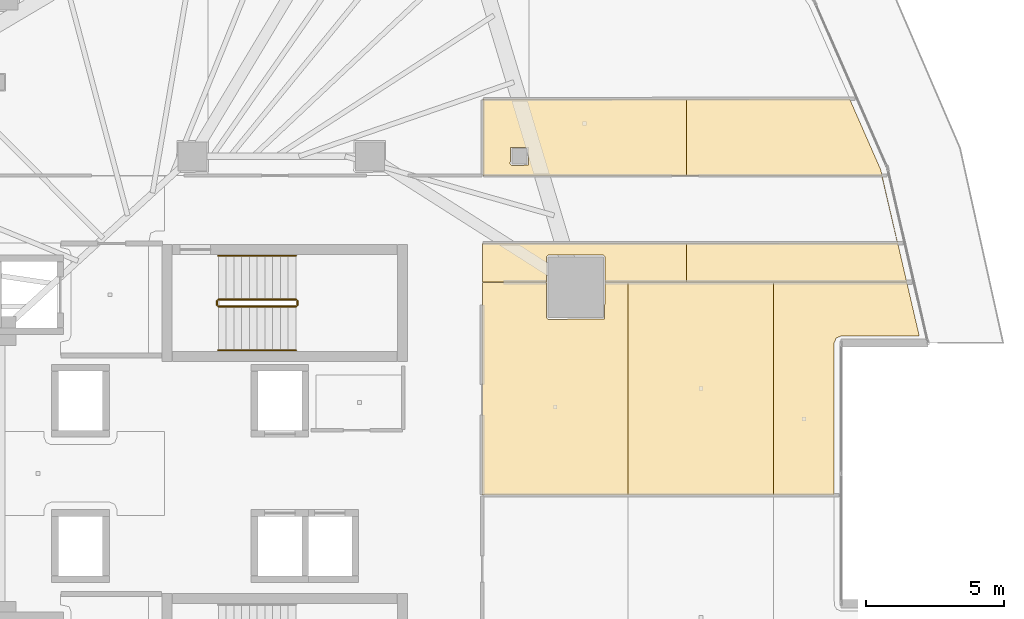
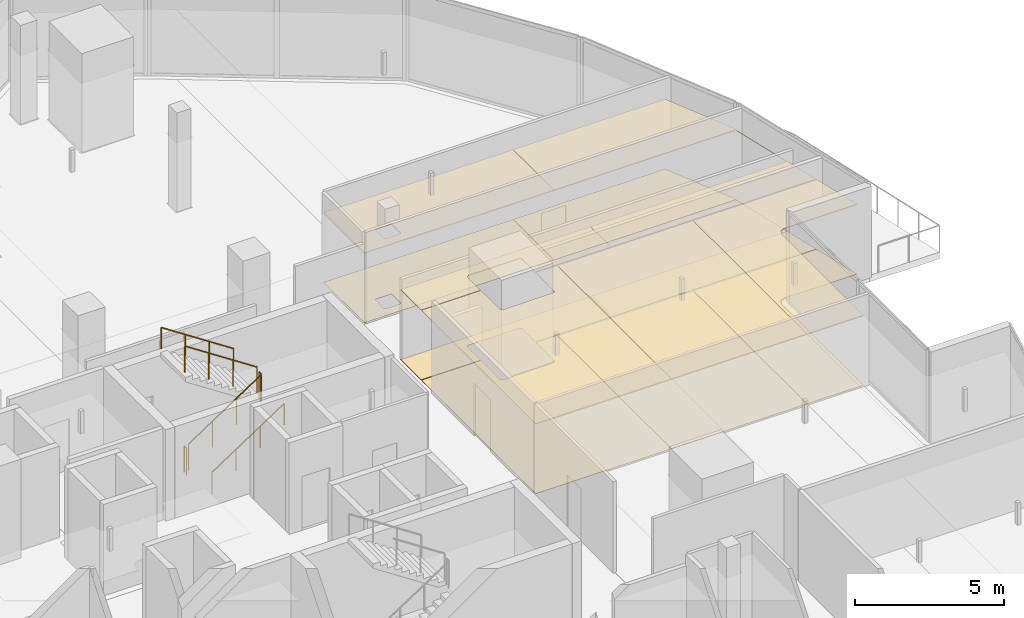
# One storey, part 35 of 36: 12 coverings, 6 railings.
"""IFC4 building model written with IfcOpenShell, lengths in metres."""

import ifcopenshell
import ifcopenshell.guid

model = None  # the IFC model being written
_history = None  # IfcOwnerHistory: only IFC2X3 demands one
_inside = {}  # id of a spatial element -> (the spatial element, [elements in it])
_under = {}  # id of a project, library or spatial element -> (it, [spatial elements below it])
_declared = {}  # id of a project -> (the project, [libraries it declares])
_typed = {}  # id of a type object -> (the type object, [elements of that type])
_made_of = {}  # id of a material, layer set ... -> (it, [elements and type objects made of it])


def new_model(schema):
    """Start an empty IFC model of exactly this schema.

    Asked for "IFC4X3", IfcOpenShell would pick the latest addendum, in which some entities
    have other attributes; the version numbers below select the first issue.
    IFC2X3 requires an IfcOwnerHistory on every rooted entity: one is made here for all.
    """
    global model, _history
    if schema == "IFC4X3":
        model = ifcopenshell.file(schema_version=(4, 3, 0, 0))
    else:
        model = ifcopenshell.file(schema=schema)
    _inside.clear()
    _under.clear()
    _declared.clear()
    _typed.clear()
    _made_of.clear()
    _history = None
    if model.schema == "IFC2X3":
        org = make("IfcOrganization", Name="unknown")
        user = make(
            "IfcPersonAndOrganization",
            ThePerson=make("IfcPerson", FamilyName="unknown"),
            TheOrganization=org,
        )
        app = make(
            "IfcApplication",
            ApplicationDeveloper=org,
            Version="unknown",
            ApplicationFullName="unknown",
            ApplicationIdentifier="unknown",
        )
        _history = make(
            "IfcOwnerHistory",
            OwningUser=user,
            OwningApplication=app,
            ChangeAction="ADDED",
            CreationDate=0,
        )
    return model


def make(cls, **values):
    """One entity of the class cls with the attributes given. An attribute that is None is left unset."""
    return model.create_entity(
        cls, **{name: value for name, value in values.items() if value is not None}
    )


def rooted(cls, **values):
    """An entity with a GlobalId (a new one), such as an element, a storey or a relation."""
    return make(cls, GlobalId=ifcopenshell.guid.new(), OwnerHistory=_history, **values)


def si_unit(unit_type, name, prefix=None):
    """IfcSIUnit, for example si_unit("LENGTHUNIT", "METRE", prefix="MILLI")."""
    return make("IfcSIUnit", UnitType=unit_type, Prefix=prefix, Name=name)


def assignment(units):
    """IfcUnitAssignment: the units of a project."""
    return None if units is None else make("IfcUnitAssignment", Units=units)


def point(xyz):
    """IfcCartesianPoint."""
    return None if xyz is None else make("IfcCartesianPoint", Coordinates=xyz)


def direction(xyz):
    """IfcDirection."""
    return None if xyz is None else make("IfcDirection", DirectionRatios=xyz)


def frame(location, z_axis=None, x_axis=None):
    """IfcAxis2Placement3D, a coordinate frame: its origin and axes. An axis left out is left unset."""
    return make(
        "IfcAxis2Placement3D",
        Location=point(location),
        Axis=direction(z_axis),
        RefDirection=direction(x_axis),
    )


def frame_2d(location, x_axis=None):
    """IfcAxis2Placement2D, a coordinate frame in the plane: its origin and x axis."""
    return make(
        "IfcAxis2Placement2D", Location=point(location), RefDirection=direction(x_axis)
    )


def origin():
    """The frame at (0, 0, 0) with its axes left unset."""
    return frame((0.0, 0.0, 0.0))


def origin_2d():
    """The frame at (0, 0) in the plane with its x axis left unset."""
    return frame_2d((0.0, 0.0))


def place(relative_to, where):
    """IfcLocalPlacement: puts the frame where relative to a parent placement (None: the world)."""
    return make(
        "IfcLocalPlacement", PlacementRelTo=relative_to, RelativePlacement=where
    )


def context(
    kind, dimensions, precision=None, world=None, true_north=None, identifier=None
):
    """IfcGeometricRepresentationContext, for example the 3D "Model" context."""
    return make(
        "IfcGeometricRepresentationContext",
        ContextIdentifier=identifier,
        ContextType=kind,
        CoordinateSpaceDimension=dimensions,
        Precision=precision,
        WorldCoordinateSystem=world,
        TrueNorth=true_north,
    )


def subcontext(parent, identifier, kind, view, scale=None):
    """IfcGeometricRepresentationSubContext, for example "Body" below "Model"."""
    return make(
        "IfcGeometricRepresentationSubContext",
        ContextIdentifier=identifier,
        ContextType=kind,
        ParentContext=parent,
        TargetScale=scale,
        TargetView=view,
    )


def project(units=None, contexts=None):
    """IfcProject with its units and contexts."""
    return rooted(
        "IfcProject",
        Name="project",
        RepresentationContexts=contexts,
        UnitsInContext=assignment(units),
    )


def spatial(cls, under=None, at=None, **own):
    """A site, building, storey or space (cls), placed at a placement, below another one or the project."""
    s = rooted(cls, ObjectPlacement=at, **own)
    if under is not None:
        _under.setdefault(under.id(), (under, []))[1].append(s)
    return s


def polyline(points):
    """IfcPolyline through the points."""
    return make("IfcPolyline", Points=[point(p) for p in points])


def profile(cls, at=None, kind="AREA", **sizes):
    """A parametric profile (cls). Its sizes go by their IFC names, for example OverallWidth=200.0."""
    return make(cls, ProfileType=kind, Position=at, **sizes)


def circle(**sizes):
    """IfcCircleProfileDef."""
    return profile("IfcCircleProfileDef", **sizes)


def outline(outer, holes=None, kind="AREA"):
    """IfcArbitraryClosedProfileDef: a profile drawn as a closed curve; with holes, ...WithVoids."""
    if holes is None:
        return make("IfcArbitraryClosedProfileDef", ProfileType=kind, OuterCurve=outer)
    return make(
        "IfcArbitraryProfileDefWithVoids",
        ProfileType=kind,
        OuterCurve=outer,
        InnerCurves=holes,
    )


def extrude(swept, where, along, depth):
    """IfcExtrudedAreaSolid: the profile swept, set in the frame where, extruded along a direction by depth."""
    return make(
        "IfcExtrudedAreaSolid",
        SweptArea=swept,
        Position=where,
        ExtrudedDirection=direction(along),
        Depth=depth,
    )


def shape(context_of_items, identifier, shape_type, items):
    """IfcShapeRepresentation: the items that make up one representation, for example the "Body"."""
    return make(
        "IfcShapeRepresentation",
        ContextOfItems=context_of_items,
        RepresentationIdentifier=identifier,
        RepresentationType=shape_type,
        Items=items,
    )


def material(Name=None, Category=None):
    """IfcMaterial."""
    return make("IfcMaterial", Name=Name, Category=Category)


def layer(
    of_material, thickness, ventilated=None, Name=None, Category=None, Priority=None
):
    """IfcMaterialLayer: one layer of a wall or slab, of a material (None: an air gap)."""
    return make(
        "IfcMaterialLayer",
        Material=of_material,
        LayerThickness=thickness,
        IsVentilated=ventilated,
        Name=Name,
        Category=Category,
        Priority=Priority,
    )


def layer_set(layers, Name=None):
    """IfcMaterialLayerSet."""
    return make("IfcMaterialLayerSet", MaterialLayers=layers, LayerSetName=Name)


def made_of(thing, what):
    """Note that an element or type object is made of a material, layer set ...; save() writes the relation."""
    if what is not None:
        _made_of.setdefault(what.id(), (what, []))[1].append(thing)
    return thing


def type_object(cls, material=None, **own):
    """A type object (cls), such as IfcWallType, which elements share."""
    return made_of(rooted(cls, **own), material)


def element(
    cls,
    number,
    at=None,
    inside=None,
    cuts=None,
    type_object=None,
    material=None,
    context=None,
    identifier="Body",
    shape_type=None,
    held_by="IfcProductDefinitionShape",
    body=None,
    shapes=None,
    **own,
):
    """One element of the class cls, such as IfcWall. Its Tag is "e" and its number.

    at: its placement. inside: the storey or other place that contains it. cuts: it is an
    opening in that element (IfcRelVoidsElement). A single representation is given by context,
    identifier, shape_type and body (its items); several are given by shapes. held_by: the class
    of the entity that holds the representations. save() writes the other relations.
    """
    e = rooted(cls, Tag="e%d" % number, ObjectPlacement=at, **own)
    if body is not None:
        shapes = [shape(context, identifier, shape_type, body)]
    if shapes is not None:
        e.Representation = make(held_by, Representations=shapes)
    if inside is not None:
        _inside.setdefault(inside.id(), (inside, []))[1].append(e)
    if cuts is not None:
        rooted(
            "IfcRelVoidsElement", RelatingBuildingElement=cuts, RelatedOpeningElement=e
        )
    if type_object is not None:
        _typed.setdefault(type_object.id(), (type_object, []))[1].append(e)
    return made_of(e, material)


def aggregate(whole, parts):
    """IfcRelAggregates: a whole, such as a stair, and the parts it consists of."""
    return rooted("IfcRelAggregates", RelatingObject=whole, RelatedObjects=parts)


def save(model, path):
    """Write the relations noted so far, then the file.

    IfcRelAggregates (storeys below a building ...), IfcRelContainedInSpatialStructure (elements
    in a storey), IfcRelDefinesByType, IfcRelAssociatesMaterial and IfcRelDeclares: one each for
    every whole, place, type object, material and project.
    """
    for whole, parts in _under.values():
        aggregate(whole, parts)
    for where, things in _inside.values():
        rooted(
            "IfcRelContainedInSpatialStructure",
            RelatedElements=things,
            RelatingStructure=where,
        )
    for kind, things in _typed.values():
        rooted("IfcRelDefinesByType", RelatedObjects=things, RelatingType=kind)
    for what, things in _made_of.values():
        rooted("IfcRelAssociatesMaterial", RelatedObjects=things, RelatingMaterial=what)
    for by, libraries in _declared.values():
        rooted("IfcRelDeclares", RelatingContext=by, RelatedDefinitions=libraries)
    model.write(path)


model = new_model("IFC4")

# Units and contexts
model_context = context("Model", 3, precision=1e-05, world=origin(), true_north=direction((0.0, 1.0)))
body_context = subcontext(model_context, "Body", "Model", "MODEL_VIEW")
ifc_project = project(units=[si_unit("LENGTHUNIT", "METRE"), si_unit("AREAUNIT", "SQUARE_METRE"), si_unit("VOLUMEUNIT", "CUBIC_METRE"), si_unit("PLANEANGLEUNIT", "RADIAN"), si_unit("MASSUNIT", "GRAM", prefix="KILO")], contexts=[model_context])

# Site, building, storey
site_placement = place(None, origin())
site = spatial("IfcSite", under=ifc_project, at=site_placement, CompositionType="ELEMENT")
building_placement = place(site_placement, origin())
building = spatial("IfcBuilding", under=site, at=building_placement, Name="Qorvath Tower", CompositionType="ELEMENT")
storey_placement = place(building_placement, frame((0.0, 0.0, 170.550048828125)))
storey = spatial("IfcBuildingStorey", under=building, at=storey_placement, Name="L39", CompositionType="ELEMENT", Elevation=170.550048828125)

# Coverings
ifc_material_1 = material(Name="Acoustic mineral fibre ceiling tile", Category="gypsum")
ifc_layer_1 = layer(ifc_material_1, 0.030029296875)
ifc_layer_set_1 = layer_set([ifc_layer_1], Name="COV-CEIL")
covering_type_1 = type_object("IfcCoveringType", Name="COV-CEIL", PredefinedType="CEILING", material=ifc_layer_set_1)
covering_1_placement = place(storey_placement, frame((0.0, 0.0, 2.849853515625)))
element("IfcCovering", 1, at=covering_1_placement, inside=storey, type_object=covering_type_1, Name="L39 Suspended Acoustic Ceiling 027", PredefinedType="CEILING", context=body_context, shape_type="SweptSolid", body=[
    extrude(outline(polyline([(-7.8798828125, -0.77587890625), (-7.8798828125, 6.900146484375), (-8.710205078125, 6.900146484375), (-8.727783203125, 5.578857421875), (-10.770263671875, 5.561279296875), (-10.830322265625, 5.621337890625), (-10.830322265625, 6.900146484375), (-13.136962890625, 6.900146484375), (-13.136962890625, -0.77587890625), (-7.8798828125, -0.77587890625)])), origin(), (0.0, 0.0, 1.0), 0.030029296875),
])
covering_2_placement = place(storey_placement, frame((0.0, 0.0, 2.849853515625)))
element("IfcCovering", 2, at=covering_2_placement, inside=storey, type_object=covering_type_1, Name="L39 Suspended Acoustic Ceiling 028", PredefinedType="CEILING", context=body_context, shape_type="SweptSolid", body=[
    extrude(outline(polyline([(-2.62255859375, -0.77587890625), (-2.62255859375, 6.900146484375), (-7.8798828125, 6.900146484375), (-7.8798828125, -0.77587890625), (-2.62255859375, -0.77587890625)])), origin(), (0.0, 0.0, 1.0), 0.030029296875),
])
covering_3_placement = place(storey_placement, frame((0.0, 0.0, 2.849853515625)))
element("IfcCovering", 3, at=covering_3_placement, inside=storey, type_object=covering_type_1, Name="L39 Suspended Acoustic Ceiling 029", PredefinedType="CEILING", context=body_context, shape_type="SweptSolid", body=[
    extrude(outline(polyline([(-0.362548828125, 4.89013671875), (-0.183837890625, 4.9638671875), (2.634521484375, 4.9638671875), (2.185546875, 6.900146484375), (-2.62255859375, 6.900146484375), (-2.62255859375, -0.77587890625), (-0.438720703125, -0.77587890625), (-0.438720703125, 4.708740234375), (-0.362548828125, 4.89013671875)])), origin(), (0.0, 0.0, 1.0), 0.030029296875),
])
covering_4_placement = place(storey_placement, frame((0.0, 0.0, 2.849853515625)))
element("IfcCovering", 4, at=covering_4_placement, inside=storey, type_object=covering_type_1, Name="L39 Suspended Acoustic Ceiling 030", PredefinedType="CEILING", context=body_context, shape_type="SweptSolid", body=[
    extrude(outline(polyline([(-5.775390625, 10.762939453125), (-5.775390625, 13.5087890625), (-13.1171875, 13.501953125), (-13.116943359375, 10.762939453125), (-5.775390625, 10.762939453125)]), holes=[polyline([(-12.135009765625, 11.175048828125), (-12.117431640625, 11.767333984375), (-11.482666015625, 11.767333984375), (-11.482666015625, 11.132568359375), (-12.074951171875, 11.114990234375), (-12.135009765625, 11.175048828125)])]), origin(), (0.0, 0.0, 1.0), 0.030029296875),
])
covering_5_placement = place(storey_placement, frame((0.0, 0.0, 2.849853515625)))
element("IfcCovering", 5, at=covering_5_placement, inside=storey, type_object=covering_type_1, Name="L39 Suspended Acoustic Ceiling 031", PredefinedType="CEILING", context=body_context, shape_type="SweptSolid", body=[
    extrude(outline(polyline([(-8.710205078125, 7.8212890625), (-8.710205078125, 6.918212890625), (-5.775390625, 6.918212890625), (-5.775390625, 8.31005859375), (-13.136962890625, 8.306884765625), (-13.136962890625, 6.918212890625), (-10.830322265625, 6.918212890625), (-10.830322265625, 7.8212890625), (-10.770263671875, 7.88134765625), (-8.770263671875, 7.88134765625), (-8.710205078125, 7.8212890625)])), origin(), (0.0, 0.0, 1.0), 0.030029296875),
])
covering_6_placement = place(storey_placement, frame((0.0, 0.0, 2.849853515625)))
element("IfcCovering", 6, at=covering_6_placement, inside=storey, type_object=covering_type_1, Name="L39 Suspended Acoustic Ceiling 032", PredefinedType="CEILING", context=body_context, shape_type="SweptSolid", body=[
    extrude(outline(polyline([(-5.775390625, 8.31005859375), (-5.775390625, 6.918212890625), (2.181396484375, 6.918212890625), (1.243408203125, 10.964599609375), (0.1240234375, 13.514404296875), (-5.775390625, 13.5087890625), (-5.775390625, 10.762939453125), (1.27392578125, 10.762939453125), (1.845703125, 8.313232421875), (-5.775390625, 8.31005859375)])), origin(), (0.0, 0.0, 1.0), 0.030029296875),
])
ifc_material_2 = material(Name="Low-VOC modular carpet tile", Category="textile")
ifc_layer_2 = layer(ifc_material_2, 0.014892578125)
ifc_layer_set_2 = layer_set([ifc_layer_2], Name="COV-FLOOR-CPT")
covering_type_2 = type_object("IfcCoveringType", Name="COV-FLOOR-CPT", PredefinedType="FLOORING", material=ifc_layer_set_2)
covering_7_placement = place(storey_placement, origin())
element("IfcCovering", 7, at=covering_7_placement, inside=storey, type_object=covering_type_2, Name="L39 Floor Finish 027", PredefinedType="FLOORING", context=body_context, shape_type="SweptSolid", body=[
    extrude(outline(polyline([(-7.8798828125, -0.77587890625), (-7.8798828125, 6.900146484375), (-8.710205078125, 6.900146484375), (-8.727783203125, 5.578857421875), (-10.770263671875, 5.561279296875), (-10.830322265625, 5.621337890625), (-10.830322265625, 6.900146484375), (-13.136962890625, 6.900146484375), (-13.136962890625, -0.77587890625), (-7.8798828125, -0.77587890625)])), origin(), (0.0, 0.0, 1.0), 0.014892578125),
])
covering_8_placement = place(storey_placement, origin())
element("IfcCovering", 8, at=covering_8_placement, inside=storey, type_object=covering_type_2, Name="L39 Floor Finish 028", PredefinedType="FLOORING", context=body_context, shape_type="SweptSolid", body=[
    extrude(outline(polyline([(-2.62255859375, -0.77587890625), (-2.62255859375, 6.900146484375), (-7.8798828125, 6.900146484375), (-7.8798828125, -0.77587890625), (-2.62255859375, -0.77587890625)])), origin(), (0.0, 0.0, 1.0), 0.014892578125),
])
covering_9_placement = place(storey_placement, origin())
element("IfcCovering", 9, at=covering_9_placement, inside=storey, type_object=covering_type_2, Name="L39 Floor Finish 029", PredefinedType="FLOORING", context=body_context, shape_type="SweptSolid", body=[
    extrude(outline(polyline([(-0.362548828125, 4.89013671875), (-0.183837890625, 4.9638671875), (2.634521484375, 4.9638671875), (2.185546875, 6.900146484375), (-2.62255859375, 6.900146484375), (-2.62255859375, -0.77587890625), (-0.438720703125, -0.77587890625), (-0.438720703125, 4.708740234375), (-0.362548828125, 4.89013671875)])), origin(), (0.0, 0.0, 1.0), 0.014892578125),
])
covering_10_placement = place(storey_placement, origin())
element("IfcCovering", 10, at=covering_10_placement, inside=storey, type_object=covering_type_2, Name="L39 Floor Finish 030", PredefinedType="FLOORING", context=body_context, shape_type="SweptSolid", body=[
    extrude(outline(polyline([(-5.775390625, 10.762939453125), (-5.775390625, 13.5087890625), (-13.1171875, 13.501953125), (-13.116943359375, 10.762939453125), (-5.775390625, 10.762939453125)]), holes=[polyline([(-12.135009765625, 11.175048828125), (-12.117431640625, 11.767333984375), (-11.482666015625, 11.767333984375), (-11.482666015625, 11.132568359375), (-12.074951171875, 11.114990234375), (-12.135009765625, 11.175048828125)])]), origin(), (0.0, 0.0, 1.0), 0.014892578125),
])
covering_11_placement = place(storey_placement, origin())
element("IfcCovering", 11, at=covering_11_placement, inside=storey, type_object=covering_type_2, Name="L39 Floor Finish 031", PredefinedType="FLOORING", context=body_context, shape_type="SweptSolid", body=[
    extrude(outline(polyline([(-8.710205078125, 7.8212890625), (-8.710205078125, 6.918212890625), (-5.775390625, 6.918212890625), (-5.775390625, 8.31005859375), (-13.136962890625, 8.306884765625), (-13.136962890625, 6.918212890625), (-10.830322265625, 6.918212890625), (-10.830322265625, 7.8212890625), (-10.770263671875, 7.88134765625), (-8.770263671875, 7.88134765625), (-8.710205078125, 7.8212890625)])), origin(), (0.0, 0.0, 1.0), 0.014892578125),
])
covering_12_placement = place(storey_placement, origin())
element("IfcCovering", 12, at=covering_12_placement, inside=storey, type_object=covering_type_2, Name="L39 Floor Finish 032", PredefinedType="FLOORING", context=body_context, shape_type="SweptSolid", body=[
    extrude(outline(polyline([(-5.775390625, 8.31005859375), (-5.775390625, 6.918212890625), (2.181396484375, 6.918212890625), (1.243408203125, 10.964599609375), (0.1240234375, 13.514404296875), (-5.775390625, 13.5087890625), (-5.775390625, 10.762939453125), (1.27392578125, 10.762939453125), (1.845703125, 8.313232421875), (-5.775390625, 8.31005859375)])), origin(), (0.0, 0.0, 1.0), 0.014892578125),
])

# Railings
ifc_material_3 = material(Name="Painted galvanised steel", Category="steel")
railing_type_1 = type_object("IfcRailingType", Name="RL-STR-GRD", PredefinedType="GUARDRAIL", material=ifc_material_3)
railing_1_placement = place(storey_placement, frame((-22.669921875, 6.030029296875, 0.18408203125)))
element("IfcRailing", 13, at=railing_1_placement, inside=storey, type_object=railing_type_1, Name="L39 TS1 stair guard 1", PredefinedType="GUARDRAIL", context=body_context, shape_type="SweptSolid", body=[
    extrude(circle(Radius=0.02392578125, at=origin_2d()), frame((0.0, 0.0, 1.076171875), z_axis=(0.835575518608, 0.0, 0.549375602573), x_axis=(0.0, 1.0, 0.0)), (0.0, 0.0, 1.0), 3.350830078125),
    extrude(circle(Radius=0.02099609375, at=origin_2d()), origin(), (0.0, 0.0, 1.0), 1.052001953125),
    extrude(circle(Radius=0.02099609375, at=origin_2d()), frame((0.933349609375, 0.0, 0.613525390625)), (0.0, 0.0, 1.0), 1.052001953125),
    extrude(circle(Radius=0.02099609375, at=origin_2d()), frame((1.866455078125, 0.0, 1.227294921875)), (0.0, 0.0, 1.0), 1.052001953125),
    extrude(circle(Radius=0.02099609375, at=origin_2d()), frame((2.7998046875, 0.0, 1.8408203125)), (0.0, 0.0, 1.0), 1.052001953125),
])
railing_2_placement = place(storey_placement, frame((-19.820068359375, 6.080078125, 2.02490234375)))
element("IfcRailing", 14, at=railing_2_placement, inside=storey, type_object=railing_type_1, Name="L39 TS1 stair guard 2", PredefinedType="GUARDRAIL", context=body_context, shape_type="SweptSolid", body=[
    extrude(circle(Radius=0.02392578125, at=origin_2d()), frame((0.0, 0.0, 1.076171875), z_axis=(0.0, 1.0, 0.0), x_axis=(-1.0, 0.0, 0.0)), (0.0, 0.0, 1.0), 0.14990234375),
    extrude(circle(Radius=0.02099609375, at=origin_2d()), origin(), (0.0, 0.0, 1.0), 1.052001953125),
    extrude(circle(Radius=0.02099609375, at=origin_2d()), frame((0.0, 0.14990234375, 0.0)), (0.0, 0.0, 1.0), 1.052001953125),
])
railing_3_placement = place(storey_placement, frame((-19.8701171875, 6.280029296875, 2.208984375)))
element("IfcRailing", 15, at=railing_3_placement, inside=storey, type_object=railing_type_1, Name="L39 TS1 stair guard 3", PredefinedType="GUARDRAIL", context=body_context, shape_type="SweptSolid", body=[
    extrude(circle(Radius=0.02392578125, at=origin_2d()), frame((0.0, 0.0, 1.076171875), z_axis=(-0.835542071712, 0.0, 0.549426470421), x_axis=(0.0, -1.0, 0.0)), (0.0, 0.0, 1.0), 3.350830078125),
    extrude(circle(Radius=0.02099609375, at=origin_2d()), origin(), (0.0, 0.0, 1.0), 1.052001953125),
    extrude(circle(Radius=0.02099609375, at=origin_2d()), frame((-0.933349609375, 0.0, 0.61376953125)), (0.0, 0.0, 1.0), 1.052001953125),
    extrude(circle(Radius=0.02099609375, at=origin_2d()), frame((-1.866455078125, 0.0, 1.227294921875)), (0.0, 0.0, 1.0), 1.052001953125),
    extrude(circle(Radius=0.02099609375, at=origin_2d()), frame((-2.7998046875, 0.0, 1.841064453125)), (0.0, 0.0, 1.0), 1.052001953125),
])
railing_4_placement = place(storey_placement, frame((-22.719970703125, 6.080078125, 0.0)))
element("IfcRailing", 16, at=railing_4_placement, inside=storey, type_object=railing_type_1, Name="L39 TS1 stair guard 4", PredefinedType="GUARDRAIL", context=body_context, shape_type="SweptSolid", body=[
    extrude(circle(Radius=0.02392578125, at=origin_2d()), frame((0.0, 0.0, 1.076171875), z_axis=(0.0, 1.0, 0.0), x_axis=(-1.0, 0.0, 0.0)), (0.0, 0.0, 1.0), 0.14990234375),
    extrude(circle(Radius=0.02099609375, at=origin_2d()), origin(), (0.0, 0.0, 1.0), 1.052001953125),
    extrude(circle(Radius=0.02099609375, at=origin_2d()), frame((0.0, 0.14990234375, 0.0)), (0.0, 0.0, 1.0), 1.052001953125),
])
ifc_material_4 = material(Name="Brushed stainless steel AISI 304", Category="steel")
railing_type_2 = type_object("IfcRailingType", Name="RL-STR-HND", PredefinedType="HANDRAIL", material=ifc_material_4)
railing_5_placement = place(storey_placement, frame((-22.669921875, 4.449951171875, 0.18408203125)))
element("IfcRailing", 17, at=railing_5_placement, inside=storey, type_object=railing_type_2, Name="L39 TS1 stair handrail 1", PredefinedType="HANDRAIL", context=body_context, shape_type="SweptSolid", body=[
    extrude(circle(Radius=0.02392578125, at=origin_2d()), frame((0.0, 0.0, 0.8759765625), z_axis=(0.835575518608, 0.0, 0.549375602573), x_axis=(0.0, 1.0, 0.0)), (0.0, 0.0, 1.0), 3.350830078125),
    extrude(circle(Radius=0.02099609375, at=origin_2d()), origin(), (0.0, 0.0, 1.0), 0.851806640625),
    extrude(circle(Radius=0.02099609375, at=origin_2d()), frame((0.933349609375, 0.0, 0.613525390625)), (0.0, 0.0, 1.0), 0.851806640625),
    extrude(circle(Radius=0.02099609375, at=origin_2d()), frame((1.866455078125, 0.0, 1.227294921875)), (0.0, 0.0, 1.0), 0.851806640625),
    extrude(circle(Radius=0.02099609375, at=origin_2d()), frame((2.7998046875, 0.0, 1.8408203125)), (0.0, 0.0, 1.0), 0.851806640625),
])
railing_6_placement = place(storey_placement, frame((-19.8701171875, 7.860107421875, 2.208984375)))
element("IfcRailing", 18, at=railing_6_placement, inside=storey, type_object=railing_type_2, Name="L39 TS1 stair handrail 2", PredefinedType="HANDRAIL", context=body_context, shape_type="SweptSolid", body=[
    extrude(circle(Radius=0.02392578125, at=origin_2d()), frame((0.0, 0.0, 0.8759765625), z_axis=(-0.835542071712, 0.0, 0.549426470421), x_axis=(0.0, -1.0, 0.0)), (0.0, 0.0, 1.0), 3.350830078125),
    extrude(circle(Radius=0.02099609375, at=origin_2d()), origin(), (0.0, 0.0, 1.0), 0.851806640625),
    extrude(circle(Radius=0.02099609375, at=origin_2d()), frame((-0.933349609375, 0.0, 0.61376953125)), (0.0, 0.0, 1.0), 0.851806640625),
    extrude(circle(Radius=0.02099609375, at=origin_2d()), frame((-1.866455078125, 0.0, 1.227294921875)), (0.0, 0.0, 1.0), 0.851806640625),
    extrude(circle(Radius=0.02099609375, at=origin_2d()), frame((-2.7998046875, 0.0, 1.841064453125)), (0.0, 0.0, 1.0), 0.851806640625),
])

save(model, "model.ifc")
